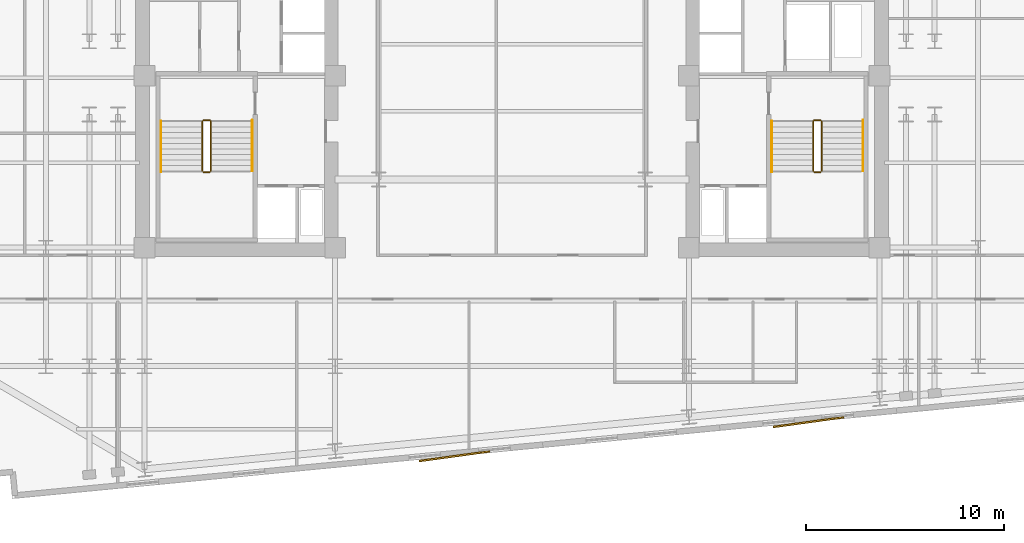
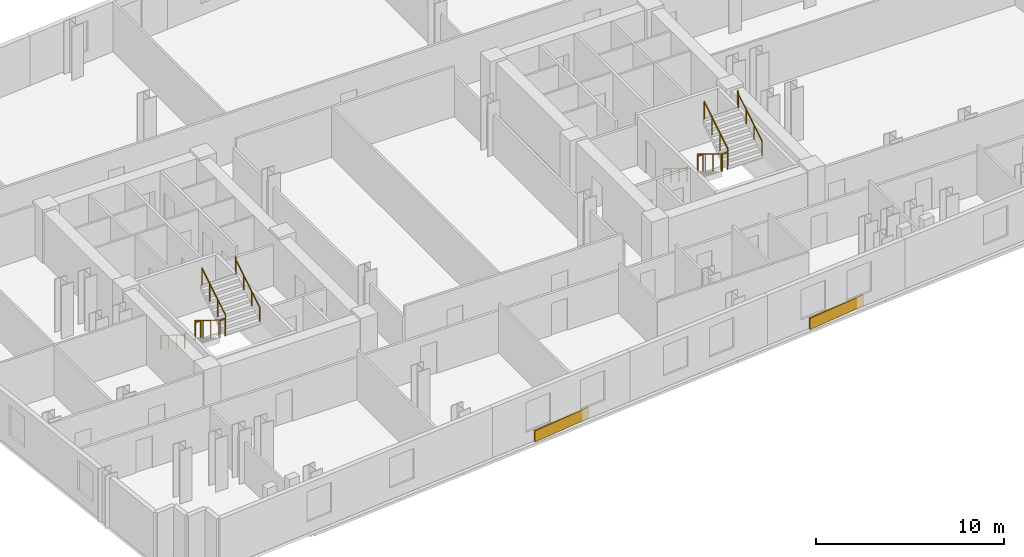
# One storey, part 9 of 10: 12 railings, 2 coverings.
"""IFC4 building model written with IfcOpenShell, lengths in metres."""

from ifc_helpers import new_model, si_unit, direction, frame, origin, origin_2d, place, context, subcontext, project, spatial, rectangle, circle, extrude, material, layer, layer_set, type_object, element, save


model = new_model("IFC4")

# Units and contexts
model_context = context("Model", 3, precision=1e-05, world=origin(), true_north=direction((0.0, 1.0)))
body_context = subcontext(model_context, "Body", "Model", "MODEL_VIEW")
ifc_project = project(units=[si_unit("LENGTHUNIT", "METRE"), si_unit("AREAUNIT", "SQUARE_METRE"), si_unit("VOLUMEUNIT", "CUBIC_METRE"), si_unit("PLANEANGLEUNIT", "RADIAN"), si_unit("MASSUNIT", "GRAM", prefix="KILO")], contexts=[model_context])

# Site, building, storey
site_placement = place(None, origin())
site = spatial("IfcSite", under=ifc_project, at=site_placement, CompositionType="ELEMENT")
building_placement = place(site_placement, origin())
building = spatial("IfcBuilding", under=site, at=building_placement, Name="Velakula Bourse", CompositionType="ELEMENT")
storey_placement = place(building_placement, frame((0.0, 0.0, 84.550048828125)))
storey = spatial("IfcBuildingStorey", under=building, at=storey_placement, Name="L22", CompositionType="ELEMENT", Elevation=84.550048828125)

# Coverings
ifc_material_1 = material(Name="Buff kilned clay facing brick masonry", Category="masonry")
ifc_layer = layer(ifc_material_1, 0.074951171875, Name="Buff kilned clay facing brick masonry", Category="masonry")
ifc_layer_set = layer_set([ifc_layer], Name="Buff kilned clay facing brick masonry")
covering_type = type_object("IfcCoveringType", Name="COV-BRK-SPN-75", PredefinedType="CLADDING", material=ifc_layer_set)
for number, where, z_axis, x_axis, name in (
    (1, (-2.908447265625, -19.154052734375, 0.0), (0.0, 0.0, 1.0), (0.990629029058, 0.136580111242, 0.0), "L22 Folded Brick Facade Cladding Panel S-B2"),
    (2, (15.0087890625, -17.428955078125, 0.0), (0.0, 0.0, 1.0), (0.990629029058, 0.136580111242, 0.0), "L22 Folded Brick Facade Cladding Panel S-B4"),
):
    element("IfcCovering", number, at=place(storey_placement, frame(where, z_axis=z_axis, x_axis=x_axis)), inside=storey, type_object=covering_type, Name=name, PredefinedType="CLADDING", context=body_context, shape_type="SweptSolid", body=[
        extrude(rectangle(XDim=3.60009765625, YDim=0.090087890625, at=origin_2d()), origin(), (0.0, 0.0, 1.0), 0.719970703125),
    ])

# Railings
ifc_material_2 = material(Name="Brushed grade 316 stainless steel", Category="steel")
railing_type_1 = type_object("IfcRailingType", Name="RLG-STAIR-GUARD-1150", PredefinedType="BALUSTRADE", material=ifc_material_2)
railing_1_placement = place(storey_placement, frame((-15.672119140625, -2.199951171875, 0.17236328125)))
element("IfcRailing", 3, at=railing_1_placement, inside=storey, type_object=railing_type_1, Name="L22 ST-W1 stair guard 1", PredefinedType="BALUSTRADE", context=body_context, shape_type="SweptSolid", body=[
    extrude(circle(Radius=0.02490234375, at=origin_2d()), frame((0.0, 0.0, 1.125), z_axis=(0.0, -0.851400495292, 0.524516154772), x_axis=(1.0, 0.0, 0.0)), (0.0, 0.0, 1.0), 2.9599609375),
    extrude(circle(Radius=0.02099609375, at=origin_2d()), origin(), (0.0, 0.0, 1.0), 1.099853515625),
    extrude(circle(Radius=0.02099609375, at=origin_2d()), frame((0.0, -0.840087890625, 0.517578125)), (0.0, 0.0, 1.0), 1.099853515625),
    extrude(circle(Radius=0.02099609375, at=origin_2d()), frame((0.0, -1.679931640625, 1.034912109375)), (0.0, 0.0, 1.0), 1.099853515625),
    extrude(circle(Radius=0.02099609375, at=origin_2d()), frame((0.0, -2.52001953125, 1.552490234375)), (0.0, 0.0, 1.0), 1.099853515625),
])
railing_2_placement = place(storey_placement, frame((-15.6220703125, -4.77001953125, 1.724853515625)))
element("IfcRailing", 4, at=railing_2_placement, inside=storey, type_object=railing_type_1, Name="L22 ST-W1 stair guard 2", PredefinedType="BALUSTRADE", context=body_context, shape_type="SweptSolid", body=[
    extrude(circle(Radius=0.02490234375, at=origin_2d()), frame((0.0, 0.0, 1.125), z_axis=(1.0, 0.0, 0.0), x_axis=(0.0, 1.0, 0.0)), (0.0, 0.0, 1.0), 0.323974609375),
    extrude(circle(Radius=0.02099609375, at=origin_2d()), origin(), (0.0, 0.0, 1.0), 1.099853515625),
    extrude(circle(Radius=0.02099609375, at=origin_2d()), frame((0.323974609375, 0.0, 0.0)), (0.0, 0.0, 1.0), 1.099853515625),
])
railing_3_placement = place(storey_placement, frame((-15.248046875, -4.719970703125, 1.8974609375)))
element("IfcRailing", 5, at=railing_3_placement, inside=storey, type_object=railing_type_1, Name="L22 ST-W1 stair guard 3", PredefinedType="BALUSTRADE", context=body_context, shape_type="SweptSolid", body=[
    extrude(circle(Radius=0.02490234375, at=origin_2d()), frame((0.0, 0.0, 1.125), z_axis=(0.0, 0.851400495292, 0.524516154772), x_axis=(-1.0, 0.0, 0.0)), (0.0, 0.0, 1.0), 2.9599609375),
    extrude(circle(Radius=0.02099609375, at=origin_2d()), origin(), (0.0, 0.0, 1.0), 1.099853515625),
    extrude(circle(Radius=0.02099609375, at=origin_2d()), frame((0.0, 0.840087890625, 0.517578125)), (0.0, 0.0, 1.0), 1.099853515625),
    extrude(circle(Radius=0.02099609375, at=origin_2d()), frame((0.0, 1.679931640625, 1.034912109375)), (0.0, 0.0, 1.0), 1.099853515625),
    extrude(circle(Radius=0.02099609375, at=origin_2d()), frame((0.0, 2.52001953125, 1.552490234375)), (0.0, 0.0, 1.0), 1.099853515625),
])
railing_4_placement = place(storey_placement, frame((-15.6220703125, -2.14990234375, 0.0)))
element("IfcRailing", 6, at=railing_4_placement, inside=storey, type_object=railing_type_1, Name="L22 ST-W1 stair guard 4", PredefinedType="BALUSTRADE", context=body_context, shape_type="SweptSolid", body=[
    extrude(circle(Radius=0.02490234375, at=origin_2d()), frame((0.0, 0.0, 1.125), z_axis=(1.0, 0.0, 0.0), x_axis=(0.0, 1.0, 0.0)), (0.0, 0.0, 1.0), 0.323974609375),
    extrude(circle(Radius=0.02099609375, at=origin_2d()), origin(), (0.0, 0.0, 1.0), 1.099853515625),
    extrude(circle(Radius=0.02099609375, at=origin_2d()), frame((0.323974609375, 0.0, 0.0)), (0.0, 0.0, 1.0), 1.099853515625),
])
railing_5_placement = place(storey_placement, frame((15.248046875, -2.199951171875, 0.17236328125)))
element("IfcRailing", 7, at=railing_5_placement, inside=storey, type_object=railing_type_1, Name="L22 ST-E1 stair guard 1", PredefinedType="BALUSTRADE", context=body_context, shape_type="SweptSolid", body=[
    extrude(circle(Radius=0.02490234375, at=origin_2d()), frame((0.0, 0.0, 1.125), z_axis=(0.0, -0.851400495292, 0.524516154772), x_axis=(1.0, 0.0, 0.0)), (0.0, 0.0, 1.0), 2.9599609375),
    extrude(circle(Radius=0.02099609375, at=origin_2d()), origin(), (0.0, 0.0, 1.0), 1.099853515625),
    extrude(circle(Radius=0.02099609375, at=origin_2d()), frame((0.0, -0.840087890625, 0.517578125)), (0.0, 0.0, 1.0), 1.099853515625),
    extrude(circle(Radius=0.02099609375, at=origin_2d()), frame((0.0, -1.679931640625, 1.034912109375)), (0.0, 0.0, 1.0), 1.099853515625),
    extrude(circle(Radius=0.02099609375, at=origin_2d()), frame((0.0, -2.52001953125, 1.552490234375)), (0.0, 0.0, 1.0), 1.099853515625),
])
railing_6_placement = place(storey_placement, frame((15.298095703125, -4.77001953125, 1.724853515625)))
element("IfcRailing", 8, at=railing_6_placement, inside=storey, type_object=railing_type_1, Name="L22 ST-E1 stair guard 2", PredefinedType="BALUSTRADE", context=body_context, shape_type="SweptSolid", body=[
    extrude(circle(Radius=0.02490234375, at=origin_2d()), frame((0.0, 0.0, 1.125), z_axis=(1.0, 0.0, 0.0), x_axis=(0.0, 1.0, 0.0)), (0.0, 0.0, 1.0), 0.323974609375),
    extrude(circle(Radius=0.02099609375, at=origin_2d()), origin(), (0.0, 0.0, 1.0), 1.099853515625),
    extrude(circle(Radius=0.02099609375, at=origin_2d()), frame((0.323974609375, 0.0, 0.0)), (0.0, 0.0, 1.0), 1.099853515625),
])
railing_7_placement = place(storey_placement, frame((15.672119140625, -4.719970703125, 1.8974609375)))
element("IfcRailing", 9, at=railing_7_placement, inside=storey, type_object=railing_type_1, Name="L22 ST-E1 stair guard 3", PredefinedType="BALUSTRADE", context=body_context, shape_type="SweptSolid", body=[
    extrude(circle(Radius=0.02490234375, at=origin_2d()), frame((0.0, 0.0, 1.125), z_axis=(0.0, 0.851400495292, 0.524516154772), x_axis=(-1.0, 0.0, 0.0)), (0.0, 0.0, 1.0), 2.9599609375),
    extrude(circle(Radius=0.02099609375, at=origin_2d()), origin(), (0.0, 0.0, 1.0), 1.099853515625),
    extrude(circle(Radius=0.02099609375, at=origin_2d()), frame((0.0, 0.840087890625, 0.517578125)), (0.0, 0.0, 1.0), 1.099853515625),
    extrude(circle(Radius=0.02099609375, at=origin_2d()), frame((0.0, 1.679931640625, 1.034912109375)), (0.0, 0.0, 1.0), 1.099853515625),
    extrude(circle(Radius=0.02099609375, at=origin_2d()), frame((0.0, 2.52001953125, 1.552490234375)), (0.0, 0.0, 1.0), 1.099853515625),
])
railing_8_placement = place(storey_placement, frame((15.298095703125, -2.14990234375, 0.0)))
element("IfcRailing", 10, at=railing_8_placement, inside=storey, type_object=railing_type_1, Name="L22 ST-E1 stair guard 4", PredefinedType="BALUSTRADE", context=body_context, shape_type="SweptSolid", body=[
    extrude(circle(Radius=0.02490234375, at=origin_2d()), frame((0.0, 0.0, 1.125), z_axis=(1.0, 0.0, 0.0), x_axis=(0.0, 1.0, 0.0)), (0.0, 0.0, 1.0), 0.323974609375),
    extrude(circle(Radius=0.02099609375, at=origin_2d()), origin(), (0.0, 0.0, 1.0), 1.099853515625),
    extrude(circle(Radius=0.02099609375, at=origin_2d()), frame((0.323974609375, 0.0, 0.0)), (0.0, 0.0, 1.0), 1.099853515625),
])
railing_type_2 = type_object("IfcRailingType", Name="RLG-STAIR-HAND-920", PredefinedType="HANDRAIL", material=ifc_material_2)
railing_9_placement = place(storey_placement, frame((-17.77001953125, -2.199951171875, 0.17236328125)))
element("IfcRailing", 11, at=railing_9_placement, inside=storey, type_object=railing_type_2, Name="L22 ST-W1 stair handrail 1", PredefinedType="HANDRAIL", context=body_context, shape_type="SweptSolid", body=[
    extrude(circle(Radius=0.02099609375, at=origin_2d()), frame((0.0, 0.0, 0.89892578125), z_axis=(0.0, -0.851400495292, 0.524516154772), x_axis=(1.0, 0.0, 0.0)), (0.0, 0.0, 1.0), 2.9599609375),
    extrude(circle(Radius=0.02099609375, at=origin_2d()), frame((0.0, -2.52001953125, 2.451416015625), z_axis=(0.0, -0.22596628056, 0.974135124123), x_axis=(1.0, 0.0, 0.0)), (0.0, 0.0, 1.0), 0.17724609375),
    extrude(circle(Radius=0.02099609375, at=origin_2d()), frame((0.0, -2.56005859375, 2.6240234375), z_axis=(0.0, -1.0, 0.0), x_axis=(1.0, 0.0, 0.0)), (0.0, 0.0, 1.0), 0.0048828125),
    extrude(circle(Radius=0.02099609375, at=origin_2d()), origin(), (0.0, 0.0, 1.0), 0.8779296875),
    extrude(circle(Radius=0.02099609375, at=origin_2d()), frame((0.0, -0.840087890625, 0.517578125)), (0.0, 0.0, 1.0), 0.8779296875),
    extrude(circle(Radius=0.02099609375, at=origin_2d()), frame((0.0, -1.679931640625, 1.034912109375)), (0.0, 0.0, 1.0), 0.8779296875),
    extrude(circle(Radius=0.02099609375, at=origin_2d()), frame((0.0, -2.52001953125, 1.552490234375)), (0.0, 0.0, 1.0), 0.8779296875),
    extrude(circle(Radius=0.02099609375, at=origin_2d()), frame((0.0, -2.56005859375, 1.72509765625)), (0.0, 0.0, 1.0), 0.8779296875),
    extrude(circle(Radius=0.02099609375, at=origin_2d()), frame((0.0, -2.56494140625, 1.72509765625)), (0.0, 0.0, 1.0), 0.8779296875),
])
railing_10_placement = place(storey_placement, frame((-13.14990234375, -4.719970703125, 1.8974609375)))
element("IfcRailing", 12, at=railing_10_placement, inside=storey, type_object=railing_type_2, Name="L22 ST-W1 stair handrail 2", PredefinedType="HANDRAIL", context=body_context, shape_type="SweptSolid", body=[
    extrude(circle(Radius=0.02099609375, at=origin_2d()), frame((0.0, 0.0, 0.89892578125), z_axis=(0.0, 0.851400495292, 0.524516154772), x_axis=(-1.0, 0.0, 0.0)), (0.0, 0.0, 1.0), 2.9599609375),
    extrude(circle(Radius=0.02099609375, at=origin_2d()), frame((0.0, 2.52001953125, 2.451416015625), z_axis=(0.0, 0.22596628056, 0.974135124123), x_axis=(-1.0, 0.0, 0.0)), (0.0, 0.0, 1.0), 0.17724609375),
    extrude(circle(Radius=0.02099609375, at=origin_2d()), frame((0.0, 2.56005859375, 2.6240234375), z_axis=(0.0, 1.0, 0.0), x_axis=(-1.0, 0.0, 0.0)), (0.0, 0.0, 1.0), 0.0048828125),
    extrude(circle(Radius=0.02099609375, at=origin_2d()), origin(), (0.0, 0.0, 1.0), 0.8779296875),
    extrude(circle(Radius=0.02099609375, at=origin_2d()), frame((0.0, 0.840087890625, 0.517578125)), (0.0, 0.0, 1.0), 0.8779296875),
    extrude(circle(Radius=0.02099609375, at=origin_2d()), frame((0.0, 1.679931640625, 1.034912109375)), (0.0, 0.0, 1.0), 0.8779296875),
    extrude(circle(Radius=0.02099609375, at=origin_2d()), frame((0.0, 2.52001953125, 1.552490234375)), (0.0, 0.0, 1.0), 0.8779296875),
    extrude(circle(Radius=0.02099609375, at=origin_2d()), frame((0.0, 2.56005859375, 1.72509765625)), (0.0, 0.0, 1.0), 0.8779296875),
    extrude(circle(Radius=0.02099609375, at=origin_2d()), frame((0.0, 2.56494140625, 1.72509765625)), (0.0, 0.0, 1.0), 0.8779296875),
])
railing_11_placement = place(storey_placement, frame((13.14990234375, -2.199951171875, 0.17236328125)))
element("IfcRailing", 13, at=railing_11_placement, inside=storey, type_object=railing_type_2, Name="L22 ST-E1 stair handrail 1", PredefinedType="HANDRAIL", context=body_context, shape_type="SweptSolid", body=[
    extrude(circle(Radius=0.02099609375, at=origin_2d()), frame((0.0, 0.0, 0.89892578125), z_axis=(0.0, -0.851400495292, 0.524516154772), x_axis=(1.0, 0.0, 0.0)), (0.0, 0.0, 1.0), 2.9599609375),
    extrude(circle(Radius=0.02099609375, at=origin_2d()), frame((0.0, -2.52001953125, 2.451416015625), z_axis=(0.0, -0.22596628056, 0.974135124123), x_axis=(1.0, 0.0, 0.0)), (0.0, 0.0, 1.0), 0.17724609375),
    extrude(circle(Radius=0.02099609375, at=origin_2d()), frame((0.0, -2.56005859375, 2.6240234375), z_axis=(0.0, -1.0, 0.0), x_axis=(1.0, 0.0, 0.0)), (0.0, 0.0, 1.0), 0.0048828125),
    extrude(circle(Radius=0.02099609375, at=origin_2d()), origin(), (0.0, 0.0, 1.0), 0.8779296875),
    extrude(circle(Radius=0.02099609375, at=origin_2d()), frame((0.0, -0.840087890625, 0.517578125)), (0.0, 0.0, 1.0), 0.8779296875),
    extrude(circle(Radius=0.02099609375, at=origin_2d()), frame((0.0, -1.679931640625, 1.034912109375)), (0.0, 0.0, 1.0), 0.8779296875),
    extrude(circle(Radius=0.02099609375, at=origin_2d()), frame((0.0, -2.52001953125, 1.552490234375)), (0.0, 0.0, 1.0), 0.8779296875),
    extrude(circle(Radius=0.02099609375, at=origin_2d()), frame((0.0, -2.56005859375, 1.72509765625)), (0.0, 0.0, 1.0), 0.8779296875),
    extrude(circle(Radius=0.02099609375, at=origin_2d()), frame((0.0, -2.56494140625, 1.72509765625)), (0.0, 0.0, 1.0), 0.8779296875),
])
railing_12_placement = place(storey_placement, frame((17.77001953125, -4.719970703125, 1.8974609375)))
element("IfcRailing", 14, at=railing_12_placement, inside=storey, type_object=railing_type_2, Name="L22 ST-E1 stair handrail 2", PredefinedType="HANDRAIL", context=body_context, shape_type="SweptSolid", body=[
    extrude(circle(Radius=0.02099609375, at=origin_2d()), frame((0.0, 0.0, 0.89892578125), z_axis=(0.0, 0.851400495292, 0.524516154772), x_axis=(-1.0, 0.0, 0.0)), (0.0, 0.0, 1.0), 2.9599609375),
    extrude(circle(Radius=0.02099609375, at=origin_2d()), frame((0.0, 2.52001953125, 2.451416015625), z_axis=(0.0, 0.22596628056, 0.974135124123), x_axis=(-1.0, 0.0, 0.0)), (0.0, 0.0, 1.0), 0.17724609375),
    extrude(circle(Radius=0.02099609375, at=origin_2d()), frame((0.0, 2.56005859375, 2.6240234375), z_axis=(0.0, 1.0, 0.0), x_axis=(-1.0, 0.0, 0.0)), (0.0, 0.0, 1.0), 0.0048828125),
    extrude(circle(Radius=0.02099609375, at=origin_2d()), origin(), (0.0, 0.0, 1.0), 0.8779296875),
    extrude(circle(Radius=0.02099609375, at=origin_2d()), frame((0.0, 0.840087890625, 0.517578125)), (0.0, 0.0, 1.0), 0.8779296875),
    extrude(circle(Radius=0.02099609375, at=origin_2d()), frame((0.0, 1.679931640625, 1.034912109375)), (0.0, 0.0, 1.0), 0.8779296875),
    extrude(circle(Radius=0.02099609375, at=origin_2d()), frame((0.0, 2.52001953125, 1.552490234375)), (0.0, 0.0, 1.0), 0.8779296875),
    extrude(circle(Radius=0.02099609375, at=origin_2d()), frame((0.0, 2.56005859375, 1.72509765625)), (0.0, 0.0, 1.0), 0.8779296875),
    extrude(circle(Radius=0.02099609375, at=origin_2d()), frame((0.0, 2.56494140625, 1.72509765625)), (0.0, 0.0, 1.0), 0.8779296875),
])

save(model, "model.ifc")
